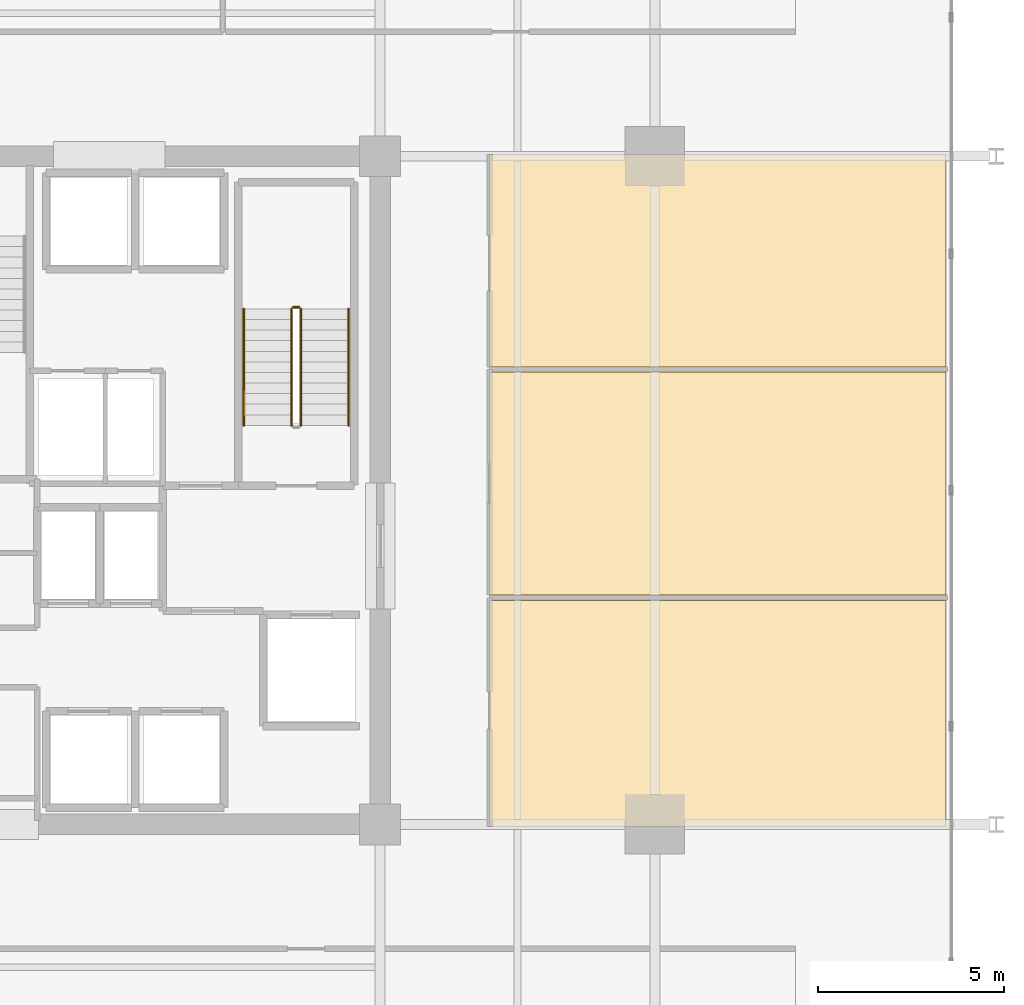
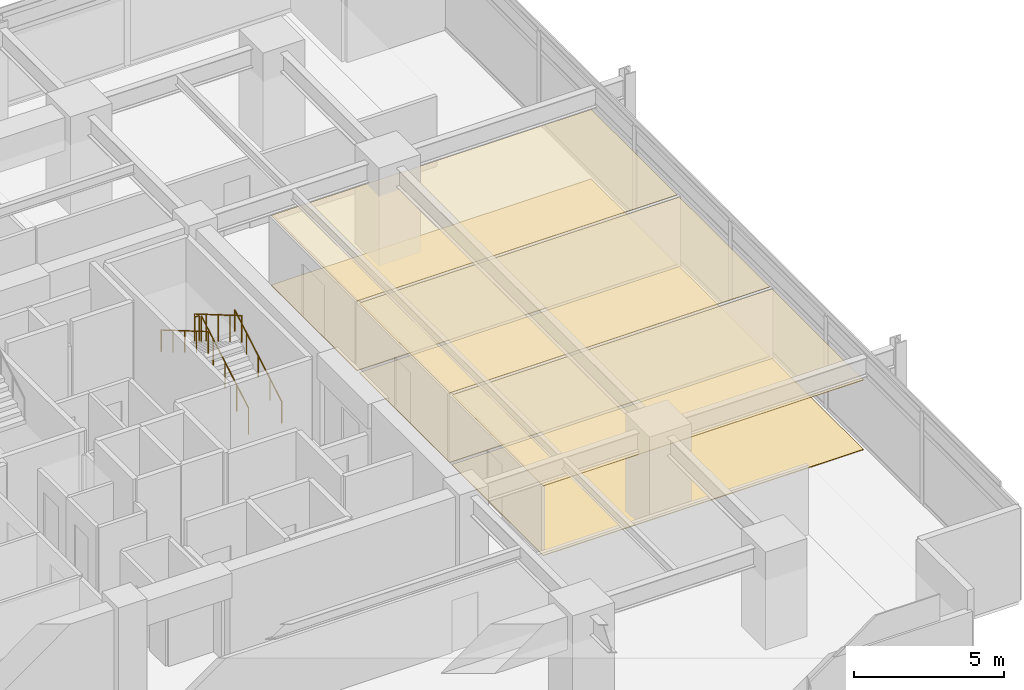
# One storey, part 21 of 23: 6 coverings, 5 railings.
"""IFC4 building model written with IfcOpenShell, lengths in metres."""

from ifc_helpers import new_model, si_unit, direction, frame, origin, origin_2d, place, context, subcontext, project, spatial, polyline, circle, outline, extrude, material, layer, layer_set, type_object, element, save


model = new_model("IFC4")

# Units and contexts
model_context = context("Model", 3, precision=1e-05, world=origin(), true_north=direction((0.0, 1.0)))
body_context = subcontext(model_context, "Body", "Model", "MODEL_VIEW")
ifc_project = project(units=[si_unit("LENGTHUNIT", "METRE"), si_unit("AREAUNIT", "SQUARE_METRE"), si_unit("VOLUMEUNIT", "CUBIC_METRE"), si_unit("PLANEANGLEUNIT", "RADIAN"), si_unit("MASSUNIT", "GRAM", prefix="KILO")], contexts=[model_context])

# Site, building, storey
site_placement = place(None, origin())
site = spatial("IfcSite", under=ifc_project, at=site_placement, CompositionType="ELEMENT")
building_placement = place(site_placement, origin())
building = spatial("IfcBuilding", under=site, at=building_placement, Name="Kovane Verandah Tower", CompositionType="ELEMENT")
storey_placement = place(building_placement, frame((0.0, 0.0, 136.39990234375)))
storey = spatial("IfcBuildingStorey", under=building, at=storey_placement, Name="L31", CompositionType="ELEMENT", Elevation=136.39990234375)

# Coverings
ifc_material_1 = material(Name="Perforated Acoustic Mineral-Fibre Ceiling Tile", Category="gypsum")
ifc_layer_1 = layer(ifc_material_1, 0.02490234375)
ifc_layer_set_1 = layer_set([ifc_layer_1], Name="Perforated Acoustic Mineral-Fibre Ceiling Tile")
covering_type_1 = type_object("IfcCoveringType", Name="CV-CEIL-25", PredefinedType="CEILING", material=ifc_layer_set_1)
covering_1_placement = place(storey_placement, frame((0.0, 0.0, 2.8251953125)))
element("IfcCovering", 1, at=covering_1_placement, inside=storey, type_object=covering_type_1, Name="L31 Open Plan Office E1 Acoustic Ceiling", PredefinedType="CEILING", context=body_context, shape_type="SweptSolid", body=[
    extrude(outline(polyline([(53.949951171875, 18.449951171875), (66.23974609375, 18.449951171875), (66.23974609375, 24.533935546875), (53.949951171875, 24.533935546875), (53.949951171875, 18.449951171875)])), origin(), (0.0, 0.0, 1.0), 0.02490234375),
])
covering_2_placement = place(storey_placement, frame((0.0, 0.0, 2.8251953125)))
element("IfcCovering", 2, at=covering_2_placement, inside=storey, type_object=covering_type_1, Name="L31 Executive Office E2 Acoustic Ceiling", PredefinedType="CEILING", context=body_context, shape_type="SweptSolid", body=[
    extrude(outline(polyline([(53.949951171875, 24.674072265625), (66.23974609375, 24.674072265625), (66.23974609375, 30.68798828125), (53.949951171875, 30.68798828125), (53.949951171875, 24.674072265625)])), origin(), (0.0, 0.0, 1.0), 0.02490234375),
])
covering_3_placement = place(storey_placement, frame((0.0, 0.0, 2.8251953125)))
element("IfcCovering", 3, at=covering_3_placement, inside=storey, type_object=covering_type_1, Name="L31 Client Boardroom E3 Acoustic Ceiling", PredefinedType="CEILING", context=body_context, shape_type="SweptSolid", body=[
    extrude(outline(polyline([(53.949951171875, 30.827880859375), (66.23974609375, 30.827880859375), (66.23974609375, 36.550048828125), (53.949951171875, 36.550048828125), (53.949951171875, 30.827880859375)])), origin(), (0.0, 0.0, 1.0), 0.02490234375),
])
ifc_material_2 = material(Name="Polished Terrazzo and Raised-Access Carpet Tile Finish", Category="concrete")
ifc_layer_2 = layer(ifc_material_2, 0.030029296875)
ifc_layer_set_2 = layer_set([ifc_layer_2], Name="Polished Terrazzo and Raised-Access Carpet Tile Finish")
covering_type_2 = type_object("IfcCoveringType", Name="CV-FLOR-30", PredefinedType="FLOORING", material=ifc_layer_set_2)
covering_4_placement = place(storey_placement, origin())
element("IfcCovering", 4, at=covering_4_placement, inside=storey, type_object=covering_type_2, Name="L31 Open Plan Office E1 Floor Finish", PredefinedType="FLOORING", context=body_context, shape_type="SweptSolid", body=[
    extrude(outline(polyline([(53.949951171875, 18.449951171875), (66.23974609375, 18.449951171875), (66.23974609375, 24.533935546875), (53.949951171875, 24.533935546875), (53.949951171875, 18.449951171875)])), origin(), (0.0, 0.0, 1.0), 0.030029296875),
])
covering_5_placement = place(storey_placement, origin())
element("IfcCovering", 5, at=covering_5_placement, inside=storey, type_object=covering_type_2, Name="L31 Executive Office E2 Floor Finish", PredefinedType="FLOORING", context=body_context, shape_type="SweptSolid", body=[
    extrude(outline(polyline([(53.949951171875, 24.674072265625), (66.23974609375, 24.674072265625), (66.23974609375, 30.68798828125), (53.949951171875, 30.68798828125), (53.949951171875, 24.674072265625)])), origin(), (0.0, 0.0, 1.0), 0.030029296875),
])
covering_6_placement = place(storey_placement, origin())
element("IfcCovering", 6, at=covering_6_placement, inside=storey, type_object=covering_type_2, Name="L31 Client Boardroom E3 Floor Finish", PredefinedType="FLOORING", context=body_context, shape_type="SweptSolid", body=[
    extrude(outline(polyline([(53.949951171875, 30.827880859375), (66.23974609375, 30.827880859375), (66.23974609375, 36.550048828125), (53.949951171875, 36.550048828125), (53.949951171875, 30.827880859375)])), origin(), (0.0, 0.0, 1.0), 0.030029296875),
])

# Railings
ifc_material_3 = material(Name="Brushed Stainless Steel Handrail", Category="steel")
railing_type_1 = type_object("IfcRailingType", Name="RL-HAND-920", PredefinedType="HANDRAIL", material=ifc_material_3)
railing_1_placement = place(storey_placement, frame((50.14990234375, 29.25, 0.166748046875)))
element("IfcRailing", 7, at=railing_1_placement, inside=storey, type_object=railing_type_1, Name="L31 ST-02 stair handrail 1", PredefinedType="HANDRAIL", context=body_context, shape_type="SweptSolid", body=[
    extrude(circle(Radius=0.02392578125, at=origin_2d()), frame((0.0, 0.0, 0.8759765625), z_axis=(0.0, 0.863239559939, 0.504794475164), x_axis=(-1.0, 0.0, 0.0)), (0.0, 0.0, 1.0), 3.631591796875),
    extrude(circle(Radius=0.02099609375, at=origin_2d()), origin(), (0.0, 0.0, 1.0), 0.851806640625),
    extrude(circle(Radius=0.02099609375, at=origin_2d()), frame((0.0, 0.78369140625, 0.458251953125)), (0.0, 0.0, 1.0), 0.851806640625),
    extrude(circle(Radius=0.02099609375, at=origin_2d()), frame((0.0, 1.5673828125, 0.91650390625)), (0.0, 0.0, 1.0), 0.851806640625),
    extrude(circle(Radius=0.02099609375, at=origin_2d()), frame((0.0, 2.351318359375, 1.375)), (0.0, 0.0, 1.0), 0.851806640625),
    extrude(circle(Radius=0.02099609375, at=origin_2d()), frame((0.0, 3.135009765625, 1.833251953125)), (0.0, 0.0, 1.0), 0.851806640625),
])
railing_2_placement = place(storey_placement, frame((47.330078125, 32.385009765625, 2.166748046875)))
element("IfcRailing", 8, at=railing_2_placement, inside=storey, type_object=railing_type_1, Name="L31 ST-02 stair handrail 2", PredefinedType="HANDRAIL", context=body_context, shape_type="SweptSolid", body=[
    extrude(circle(Radius=0.02392578125, at=origin_2d()), frame((0.0, 0.0, 0.8759765625), z_axis=(0.0, -0.863239559939, 0.504794475164), x_axis=(1.0, 0.0, 0.0)), (0.0, 0.0, 1.0), 3.631591796875),
    extrude(circle(Radius=0.02099609375, at=origin_2d()), origin(), (0.0, 0.0, 1.0), 0.851806640625),
    extrude(circle(Radius=0.02099609375, at=origin_2d()), frame((0.0, -0.78369140625, 0.458251953125)), (0.0, 0.0, 1.0), 0.851806640625),
    extrude(circle(Radius=0.02099609375, at=origin_2d()), frame((0.0, -1.5673828125, 0.91650390625)), (0.0, 0.0, 1.0), 0.851806640625),
    extrude(circle(Radius=0.02099609375, at=origin_2d()), frame((0.0, -2.351318359375, 1.375)), (0.0, 0.0, 1.0), 0.851806640625),
    extrude(circle(Radius=0.02099609375, at=origin_2d()), frame((0.0, -3.135009765625, 1.833251953125)), (0.0, 0.0, 1.0), 0.851806640625),
])
ifc_material_4 = material(Name="Painted Steel Stairwell Guardrail", Category="steel")
railing_type_2 = type_object("IfcRailingType", Name="RL-STGUARD-1120", PredefinedType="GUARDRAIL", material=ifc_material_4)
railing_3_placement = place(storey_placement, frame((48.8701171875, 29.25, 0.166748046875)))
element("IfcRailing", 9, at=railing_3_placement, inside=storey, type_object=railing_type_2, Name="L31 ST-02 stair guard 1", PredefinedType="GUARDRAIL", context=body_context, shape_type="SweptSolid", body=[
    extrude(circle(Radius=0.02392578125, at=origin_2d()), frame((0.0, 0.0, 1.076171875), z_axis=(0.0, 0.863239559939, 0.504794475164), x_axis=(-1.0, 0.0, 0.0)), (0.0, 0.0, 1.0), 3.631591796875),
    extrude(circle(Radius=0.02099609375, at=origin_2d()), origin(), (0.0, 0.0, 1.0), 1.052001953125),
    extrude(circle(Radius=0.02099609375, at=origin_2d()), frame((0.0, 0.78369140625, 0.458251953125)), (0.0, 0.0, 1.0), 1.052001953125),
    extrude(circle(Radius=0.02099609375, at=origin_2d()), frame((0.0, 1.5673828125, 0.91650390625)), (0.0, 0.0, 1.0), 1.052001953125),
    extrude(circle(Radius=0.02099609375, at=origin_2d()), frame((0.0, 2.351318359375, 1.375)), (0.0, 0.0, 1.0), 1.052001953125),
    extrude(circle(Radius=0.02099609375, at=origin_2d()), frame((0.0, 3.135009765625, 1.833251953125)), (0.0, 0.0, 1.0), 1.052001953125),
])
railing_4_placement = place(storey_placement, frame((48.820068359375, 32.43505859375, 2.0)))
element("IfcRailing", 10, at=railing_4_placement, inside=storey, type_object=railing_type_2, Name="L31 ST-02 stair guard 2", PredefinedType="GUARDRAIL", context=body_context, shape_type="SweptSolid", body=[
    extrude(circle(Radius=0.02392578125, at=origin_2d()), frame((0.0, 0.0, 1.076171875), z_axis=(-1.0, 0.0, 0.0), x_axis=(0.0, -1.0, 0.0)), (0.0, 0.0, 1.0), 0.16015625),
    extrude(circle(Radius=0.02099609375, at=origin_2d()), origin(), (0.0, 0.0, 1.0), 1.052001953125),
    extrude(circle(Radius=0.02099609375, at=origin_2d()), frame((-0.16015625, 0.0, 0.0)), (0.0, 0.0, 1.0), 1.052001953125),
])
railing_5_placement = place(storey_placement, frame((48.610107421875, 32.385009765625, 2.166748046875)))
element("IfcRailing", 11, at=railing_5_placement, inside=storey, type_object=railing_type_2, Name="L31 ST-02 stair guard 3", PredefinedType="GUARDRAIL", context=body_context, shape_type="SweptSolid", body=[
    extrude(circle(Radius=0.02392578125, at=origin_2d()), frame((0.0, 0.0, 1.076171875), z_axis=(0.0, -0.863239559939, 0.504794475164), x_axis=(1.0, 0.0, 0.0)), (0.0, 0.0, 1.0), 3.631591796875),
    extrude(circle(Radius=0.02099609375, at=origin_2d()), origin(), (0.0, 0.0, 1.0), 1.052001953125),
    extrude(circle(Radius=0.02099609375, at=origin_2d()), frame((0.0, -0.78369140625, 0.458251953125)), (0.0, 0.0, 1.0), 1.052001953125),
    extrude(circle(Radius=0.02099609375, at=origin_2d()), frame((0.0, -1.5673828125, 0.91650390625)), (0.0, 0.0, 1.0), 1.052001953125),
    extrude(circle(Radius=0.02099609375, at=origin_2d()), frame((0.0, -2.351318359375, 1.375)), (0.0, 0.0, 1.0), 1.052001953125),
    extrude(circle(Radius=0.02099609375, at=origin_2d()), frame((0.0, -3.135009765625, 1.833251953125)), (0.0, 0.0, 1.0), 1.052001953125),
])

save(model, "model.ifc")
